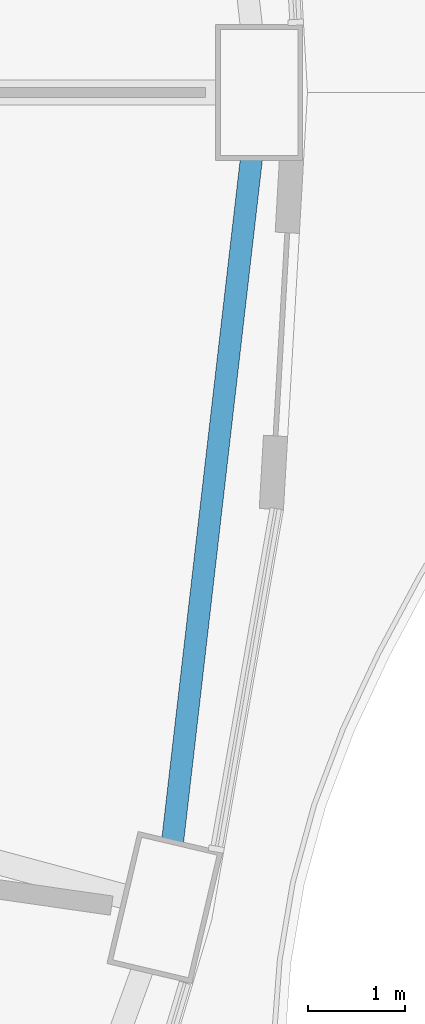
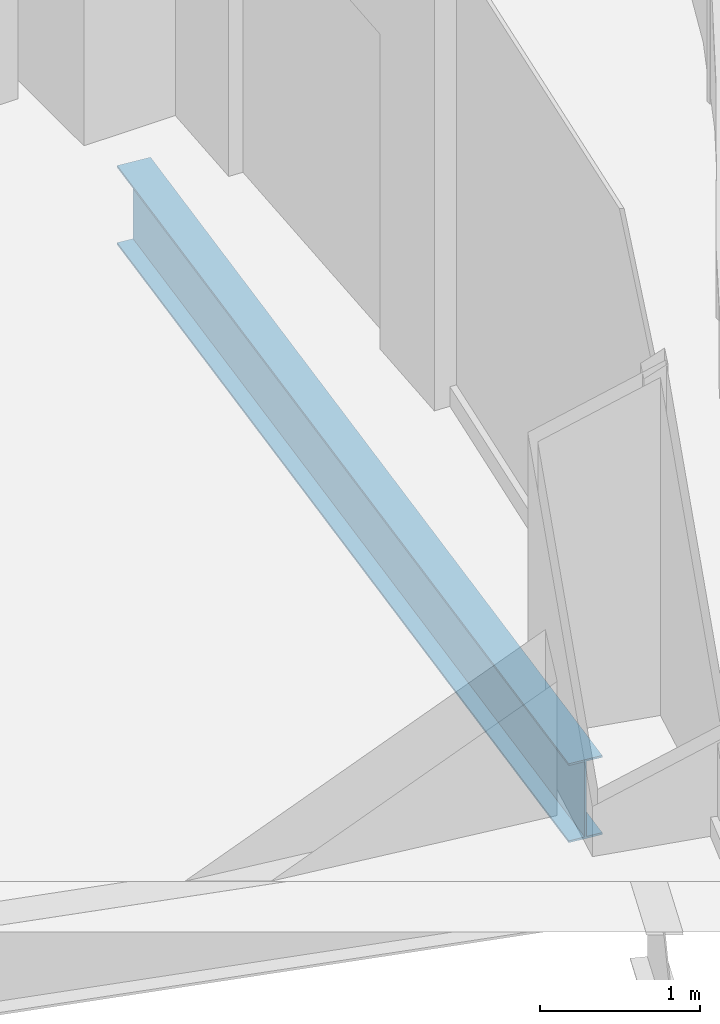
# One storey, part 6 of 22: 1 beam.
"""IFC4 building model written with IfcOpenShell, lengths in metres."""

import ifcopenshell
import ifcopenshell.guid

model = None  # the IFC model being written
_history = None  # IfcOwnerHistory: only IFC2X3 demands one
_inside = {}  # id of a spatial element -> (the spatial element, [elements in it])
_under = {}  # id of a project, library or spatial element -> (it, [spatial elements below it])
_declared = {}  # id of a project -> (the project, [libraries it declares])
_typed = {}  # id of a type object -> (the type object, [elements of that type])
_made_of = {}  # id of a material, layer set ... -> (it, [elements and type objects made of it])


def new_model(schema):
    """Start an empty IFC model of exactly this schema.

    Asked for "IFC4X3", IfcOpenShell would pick the latest addendum, in which some entities
    have other attributes; the version numbers below select the first issue.
    IFC2X3 requires an IfcOwnerHistory on every rooted entity: one is made here for all.
    """
    global model, _history
    if schema == "IFC4X3":
        model = ifcopenshell.file(schema_version=(4, 3, 0, 0))
    else:
        model = ifcopenshell.file(schema=schema)
    _inside.clear()
    _under.clear()
    _declared.clear()
    _typed.clear()
    _made_of.clear()
    _history = None
    if model.schema == "IFC2X3":
        org = make("IfcOrganization", Name="unknown")
        user = make(
            "IfcPersonAndOrganization",
            ThePerson=make("IfcPerson", FamilyName="unknown"),
            TheOrganization=org,
        )
        app = make(
            "IfcApplication",
            ApplicationDeveloper=org,
            Version="unknown",
            ApplicationFullName="unknown",
            ApplicationIdentifier="unknown",
        )
        _history = make(
            "IfcOwnerHistory",
            OwningUser=user,
            OwningApplication=app,
            ChangeAction="ADDED",
            CreationDate=0,
        )
    return model


def make(cls, **values):
    """One entity of the class cls with the attributes given. An attribute that is None is left unset."""
    return model.create_entity(
        cls, **{name: value for name, value in values.items() if value is not None}
    )


def rooted(cls, **values):
    """An entity with a GlobalId (a new one), such as an element, a storey or a relation."""
    return make(cls, GlobalId=ifcopenshell.guid.new(), OwnerHistory=_history, **values)


def si_unit(unit_type, name, prefix=None):
    """IfcSIUnit, for example si_unit("LENGTHUNIT", "METRE", prefix="MILLI")."""
    return make("IfcSIUnit", UnitType=unit_type, Prefix=prefix, Name=name)


def assignment(units):
    """IfcUnitAssignment: the units of a project."""
    return None if units is None else make("IfcUnitAssignment", Units=units)


def point(xyz):
    """IfcCartesianPoint."""
    return None if xyz is None else make("IfcCartesianPoint", Coordinates=xyz)


def direction(xyz):
    """IfcDirection."""
    return None if xyz is None else make("IfcDirection", DirectionRatios=xyz)


def frame(location, z_axis=None, x_axis=None):
    """IfcAxis2Placement3D, a coordinate frame: its origin and axes. An axis left out is left unset."""
    return make(
        "IfcAxis2Placement3D",
        Location=point(location),
        Axis=direction(z_axis),
        RefDirection=direction(x_axis),
    )


def frame_2d(location, x_axis=None):
    """IfcAxis2Placement2D, a coordinate frame in the plane: its origin and x axis."""
    return make(
        "IfcAxis2Placement2D", Location=point(location), RefDirection=direction(x_axis)
    )


def origin():
    """The frame at (0, 0, 0) with its axes left unset."""
    return frame((0.0, 0.0, 0.0))


def origin_2d():
    """The frame at (0, 0) in the plane with its x axis left unset."""
    return frame_2d((0.0, 0.0))


def place(relative_to, where):
    """IfcLocalPlacement: puts the frame where relative to a parent placement (None: the world)."""
    return make(
        "IfcLocalPlacement", PlacementRelTo=relative_to, RelativePlacement=where
    )


def context(
    kind, dimensions, precision=None, world=None, true_north=None, identifier=None
):
    """IfcGeometricRepresentationContext, for example the 3D "Model" context."""
    return make(
        "IfcGeometricRepresentationContext",
        ContextIdentifier=identifier,
        ContextType=kind,
        CoordinateSpaceDimension=dimensions,
        Precision=precision,
        WorldCoordinateSystem=world,
        TrueNorth=true_north,
    )


def subcontext(parent, identifier, kind, view, scale=None):
    """IfcGeometricRepresentationSubContext, for example "Body" below "Model"."""
    return make(
        "IfcGeometricRepresentationSubContext",
        ContextIdentifier=identifier,
        ContextType=kind,
        ParentContext=parent,
        TargetScale=scale,
        TargetView=view,
    )


def project(units=None, contexts=None):
    """IfcProject with its units and contexts."""
    return rooted(
        "IfcProject",
        Name="project",
        RepresentationContexts=contexts,
        UnitsInContext=assignment(units),
    )


def spatial(cls, under=None, at=None, **own):
    """A site, building, storey or space (cls), placed at a placement, below another one or the project."""
    s = rooted(cls, ObjectPlacement=at, **own)
    if under is not None:
        _under.setdefault(under.id(), (under, []))[1].append(s)
    return s


def profile(cls, at=None, kind="AREA", **sizes):
    """A parametric profile (cls). Its sizes go by their IFC names, for example OverallWidth=200.0."""
    return make(cls, ProfileType=kind, Position=at, **sizes)


def i_section(**sizes):
    """IfcIShapeProfileDef."""
    return profile("IfcIShapeProfileDef", **sizes)


def extrude(swept, where, along, depth):
    """IfcExtrudedAreaSolid: the profile swept, set in the frame where, extruded along a direction by depth."""
    return make(
        "IfcExtrudedAreaSolid",
        SweptArea=swept,
        Position=where,
        ExtrudedDirection=direction(along),
        Depth=depth,
    )


def shape(context_of_items, identifier, shape_type, items):
    """IfcShapeRepresentation: the items that make up one representation, for example the "Body"."""
    return make(
        "IfcShapeRepresentation",
        ContextOfItems=context_of_items,
        RepresentationIdentifier=identifier,
        RepresentationType=shape_type,
        Items=items,
    )


def material(Name=None, Category=None):
    """IfcMaterial."""
    return make("IfcMaterial", Name=Name, Category=Category)


def material_profile(
    of_material, cross_section, Name=None, Category=None, Priority=None
):
    """IfcMaterialProfile: a cross section and its material."""
    return make(
        "IfcMaterialProfile",
        Name=Name,
        Material=of_material,
        Profile=cross_section,
        Priority=Priority,
        Category=Category,
    )


def profile_set(profiles, Name=None, composite=None):
    """IfcMaterialProfileSet."""
    return make(
        "IfcMaterialProfileSet",
        Name=Name,
        MaterialProfiles=profiles,
        CompositeProfile=composite,
    )


def made_of(thing, what):
    """Note that an element or type object is made of a material, layer set ...; save() writes the relation."""
    if what is not None:
        _made_of.setdefault(what.id(), (what, []))[1].append(thing)
    return thing


def type_object(cls, material=None, **own):
    """A type object (cls), such as IfcWallType, which elements share."""
    return made_of(rooted(cls, **own), material)


def element(
    cls,
    number,
    at=None,
    inside=None,
    cuts=None,
    type_object=None,
    material=None,
    context=None,
    identifier="Body",
    shape_type=None,
    held_by="IfcProductDefinitionShape",
    body=None,
    shapes=None,
    **own,
):
    """One element of the class cls, such as IfcWall. Its Tag is "e" and its number.

    at: its placement. inside: the storey or other place that contains it. cuts: it is an
    opening in that element (IfcRelVoidsElement). A single representation is given by context,
    identifier, shape_type and body (its items); several are given by shapes. held_by: the class
    of the entity that holds the representations. save() writes the other relations.
    """
    e = rooted(cls, Tag="e%d" % number, ObjectPlacement=at, **own)
    if body is not None:
        shapes = [shape(context, identifier, shape_type, body)]
    if shapes is not None:
        e.Representation = make(held_by, Representations=shapes)
    if inside is not None:
        _inside.setdefault(inside.id(), (inside, []))[1].append(e)
    if cuts is not None:
        rooted(
            "IfcRelVoidsElement", RelatingBuildingElement=cuts, RelatedOpeningElement=e
        )
    if type_object is not None:
        _typed.setdefault(type_object.id(), (type_object, []))[1].append(e)
    return made_of(e, material)


def aggregate(whole, parts):
    """IfcRelAggregates: a whole, such as a stair, and the parts it consists of."""
    return rooted("IfcRelAggregates", RelatingObject=whole, RelatedObjects=parts)


def save(model, path):
    """Write the relations noted so far, then the file.

    IfcRelAggregates (storeys below a building ...), IfcRelContainedInSpatialStructure (elements
    in a storey), IfcRelDefinesByType, IfcRelAssociatesMaterial and IfcRelDeclares: one each for
    every whole, place, type object, material and project.
    """
    for whole, parts in _under.values():
        aggregate(whole, parts)
    for where, things in _inside.values():
        rooted(
            "IfcRelContainedInSpatialStructure",
            RelatedElements=things,
            RelatingStructure=where,
        )
    for kind, things in _typed.values():
        rooted("IfcRelDefinesByType", RelatedObjects=things, RelatingType=kind)
    for what, things in _made_of.values():
        rooted("IfcRelAssociatesMaterial", RelatedObjects=things, RelatingMaterial=what)
    for by, libraries in _declared.values():
        rooted("IfcRelDeclares", RelatingContext=by, RelatedDefinitions=libraries)
    model.write(path)


model = new_model("IFC4")

# Units and contexts
model_context = context("Model", 3, precision=1e-05, world=origin(), true_north=direction((0.0, 1.0)))
body_context = subcontext(model_context, "Body", "Model", "MODEL_VIEW")
ifc_project = project(units=[si_unit("LENGTHUNIT", "METRE"), si_unit("AREAUNIT", "SQUARE_METRE"), si_unit("VOLUMEUNIT", "CUBIC_METRE"), si_unit("PLANEANGLEUNIT", "RADIAN"), si_unit("MASSUNIT", "GRAM", prefix="KILO")], contexts=[model_context])

# Site, building, storey
site_placement = place(None, origin())
site = spatial("IfcSite", under=ifc_project, at=site_placement, CompositionType="ELEMENT")
building_placement = place(site_placement, origin())
building = spatial("IfcBuilding", under=site, at=building_placement, Name="Nagisa Residences", CompositionType="ELEMENT")
storey_placement = place(building_placement, frame((0.0, 0.0, 30.699951171875)))
storey = spatial("IfcBuildingStorey", under=building, at=storey_placement, Name="L06", CompositionType="ELEMENT", Elevation=30.699951171875)

# Beam
ifc_material = material(Name="Steel ASTM A572 Gr 50", Category="steel")
ifc_material_profile = material_profile(ifc_material, i_section(OverallWidth=0.22802734375, OverallDepth=0.60302734375, WebThickness=0.010498046875, FlangeThickness=0.014892578125, at=origin_2d()), Name="W610x101")
ifc_profile_set = profile_set([ifc_material_profile], Name="Steel ASTM A572 Gr 50")
beam_type = type_object("IfcBeamType", Name="Perimeter ring beam W610x101", PredefinedType="BEAM", material=ifc_profile_set)
beam_placement = place(storey_placement, frame((31.20751953125, -7.7314453125, -0.5615234375), z_axis=(0.114673717321, 0.993403210462, 0.0), x_axis=(-0.993403210462, 0.114673717321, 0.0)))
element("IfcBeam", 1, at=beam_placement, inside=storey, type_object=beam_type, Name="beam:L06:pb24", PredefinedType="BEAM", context=body_context, shape_type="SweptSolid", body=[
    extrude(i_section(OverallWidth=0.22802734375, OverallDepth=0.60302734375, WebThickness=0.010498046875, FlangeThickness=0.014892578125, at=origin_2d()), origin(), (0.0, 0.0, 1.0), 7.09814453125),
])

save(model, "model.ifc")
